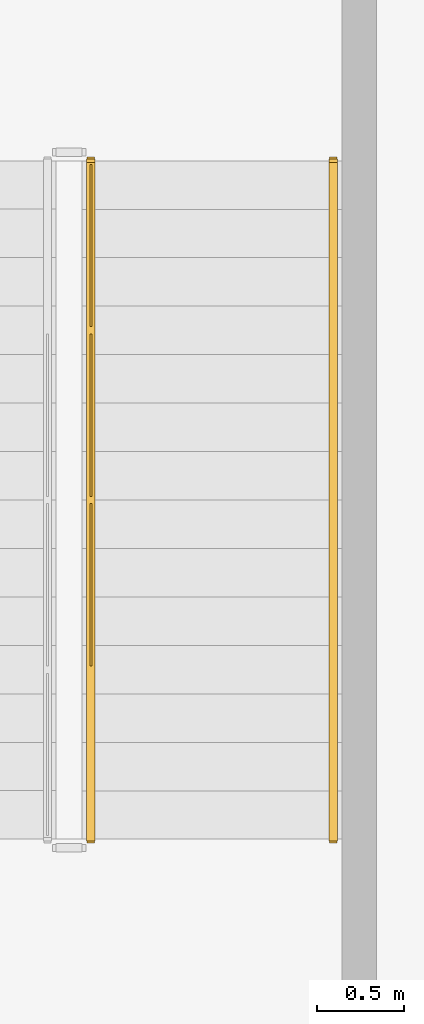
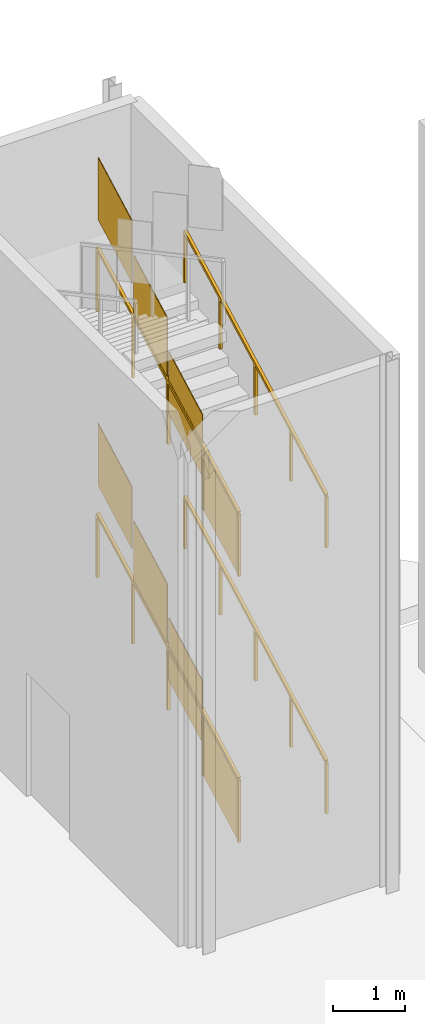
# One storey, part 37 of 38: 4 railings.
"""IFC4 building model written with IfcOpenShell, lengths in metres."""

from ifc_helpers import new_model, si_unit, direction, frame, origin, origin_2d, place, context, subcontext, project, spatial, polyline, rectangle, outline, extrude, material, type_object, element, save


model = new_model("IFC4")

# Units and contexts
model_context = context("Model", 3, precision=1e-05, world=origin(), true_north=direction((0.0, 1.0)))
body_context = subcontext(model_context, "Body", "Model", "MODEL_VIEW")
ifc_project = project(units=[si_unit("LENGTHUNIT", "METRE"), si_unit("AREAUNIT", "SQUARE_METRE"), si_unit("VOLUMEUNIT", "CUBIC_METRE"), si_unit("PLANEANGLEUNIT", "RADIAN"), si_unit("MASSUNIT", "GRAM", prefix="KILO")], contexts=[model_context])

# Site, building, storey
site_placement = place(None, origin())
site = spatial("IfcSite", under=ifc_project, at=site_placement, CompositionType="ELEMENT")
building_placement = place(site_placement, origin())
building = spatial("IfcBuilding", under=site, at=building_placement, Name="Cairn Pilgrim Tower", CompositionType="ELEMENT")
storey_placement = place(building_placement, origin())
storey = spatial("IfcBuildingStorey", under=building, at=storey_placement, Name="L00", CompositionType="ELEMENT", Elevation=0.0)

# Railings
ifc_material = material(Name="Painted steel", Category="steel")
railing_type_1 = type_object("IfcRailingType", Name="PODIUM STAIR GUARD 1100", PredefinedType="GUARDRAIL", material=ifc_material)
railing_1_placement = place(storey_placement, frame((32.699951171875, 20.199951171875, 0.14990234375)))
element("IfcRailing", 1, at=railing_1_placement, inside=storey, type_object=railing_type_1, Name="L00 ST-ES4 stair guard 1", PredefinedType="GUARDRAIL", context=body_context, shape_type="SweptSolid", body=[
    extrude(rectangle(XDim=0.048095703125, YDim=0.048095703125, at=origin_2d()), frame((0.0, 0.0, 1.076171875), z_axis=(0.0, 0.881479153919, 0.472222935917), x_axis=(-1.0, 0.0, 0.0)), (0.0, 0.0, 1.0), 4.447265625),
    extrude(rectangle(XDim=0.0419921875, YDim=0.0419921875, at=origin_2d()), origin(), (0.0, 0.0, 1.0), 1.052001953125),
    extrude(rectangle(XDim=0.0419921875, YDim=0.0419921875, at=origin_2d()), frame((0.0, 0.97998046875, 0.52490234375)), (0.0, 0.0, 1.0), 1.052001953125),
    extrude(rectangle(XDim=0.0419921875, YDim=0.0419921875, at=origin_2d()), frame((0.0, 1.960205078125, 1.050048828125)), (0.0, 0.0, 1.0), 1.052001953125),
    extrude(rectangle(XDim=0.0419921875, YDim=0.0419921875, at=origin_2d()), frame((0.0, 2.940185546875, 1.5751953125)), (0.0, 0.0, 1.0), 1.052001953125),
    extrude(rectangle(XDim=0.0419921875, YDim=0.0419921875, at=origin_2d()), frame((0.0, 3.920166015625, 2.10009765625)), (0.0, 0.0, 1.0), 1.052001953125),
    extrude(outline(polyline([(0.02099609375, 0.01123046875), (0.958984375, 0.513671875), (0.958984375, 1.565673828125), (0.02099609375, 1.063232421875), (0.02099609375, 0.01123046875)])), frame((-0.005859375, 0.0, 0.0), z_axis=(1.0, 0.0, 0.0), x_axis=(0.0, 1.0, 0.0)), (0.0, 0.0, 1.0), 0.011962890625),
    extrude(outline(polyline([(0.02099609375, 0.536376953125), (0.958984375, 1.038818359375), (0.958984375, 2.0908203125), (0.02099609375, 1.58837890625), (0.02099609375, 0.536376953125)])), frame((-0.005859375, 0.97998046875, 0.52490234375), z_axis=(1.0, 0.0, 0.0), x_axis=(0.0, 1.0, 0.0)), (0.0, 0.0, 1.0), 0.011962890625),
    extrude(outline(polyline([(0.02099609375, 1.061279296875), (0.958984375, 1.563720703125), (0.958984375, 2.61572265625), (0.02099609375, 2.11328125), (0.02099609375, 1.061279296875)])), frame((-0.005859375, 1.960205078125, 1.050048828125), z_axis=(1.0, 0.0, 0.0), x_axis=(0.0, 1.0, 0.0)), (0.0, 0.0, 1.0), 0.011962890625),
    extrude(outline(polyline([(0.02099609375, 1.58642578125), (0.958984375, 2.0888671875), (0.958984375, 3.140869140625), (0.02099609375, 2.638427734375), (0.02099609375, 1.58642578125)])), frame((-0.005859375, 2.940185546875, 1.5751953125), z_axis=(1.0, 0.0, 0.0), x_axis=(0.0, 1.0, 0.0)), (0.0, 0.0, 1.0), 0.011962890625),
])
railing_2_placement = place(storey_placement, frame((32.699951171875, 20.199951171875, 4.64990234375)))
element("IfcRailing", 2, at=railing_2_placement, inside=storey, type_object=railing_type_1, Name="L00 ST-ES4 stair guard 5", PredefinedType="GUARDRAIL", context=body_context, shape_type="SweptSolid", body=[
    extrude(rectangle(XDim=0.048095703125, YDim=0.048095703125, at=origin_2d()), frame((0.0, 0.0, 1.076171875), z_axis=(0.0, 0.881479153919, 0.472222935917), x_axis=(-1.0, 0.0, 0.0)), (0.0, 0.0, 1.0), 4.447265625),
    extrude(rectangle(XDim=0.0419921875, YDim=0.0419921875, at=origin_2d()), origin(), (0.0, 0.0, 1.0), 1.052001953125),
    extrude(rectangle(XDim=0.0419921875, YDim=0.0419921875, at=origin_2d()), frame((0.0, 0.97998046875, 0.52490234375)), (0.0, 0.0, 1.0), 1.052001953125),
    extrude(rectangle(XDim=0.0419921875, YDim=0.0419921875, at=origin_2d()), frame((0.0, 1.960205078125, 1.050048828125)), (0.0, 0.0, 1.0), 1.052001953125),
    extrude(rectangle(XDim=0.0419921875, YDim=0.0419921875, at=origin_2d()), frame((0.0, 2.940185546875, 1.5751953125)), (0.0, 0.0, 1.0), 1.052001953125),
    extrude(rectangle(XDim=0.0419921875, YDim=0.0419921875, at=origin_2d()), frame((0.0, 3.920166015625, 2.10009765625)), (0.0, 0.0, 1.0), 1.052001953125),
    extrude(outline(polyline([(0.02099609375, 0.01123046875), (0.958984375, 0.513671875), (0.958984375, 1.565673828125), (0.02099609375, 1.063232421875), (0.02099609375, 0.01123046875)])), frame((-0.005859375, 0.0, 0.0), z_axis=(1.0, 0.0, 0.0), x_axis=(0.0, 1.0, 0.0)), (0.0, 0.0, 1.0), 0.011962890625),
    extrude(outline(polyline([(0.02099609375, 0.536376953125), (0.958984375, 1.038818359375), (0.958984375, 2.0908203125), (0.02099609375, 1.58837890625), (0.02099609375, 0.536376953125)])), frame((-0.005859375, 0.97998046875, 0.52490234375), z_axis=(1.0, 0.0, 0.0), x_axis=(0.0, 1.0, 0.0)), (0.0, 0.0, 1.0), 0.011962890625),
    extrude(outline(polyline([(0.02099609375, 1.061279296875), (0.958984375, 1.563720703125), (0.958984375, 2.61572265625), (0.02099609375, 2.11328125), (0.02099609375, 1.061279296875)])), frame((-0.005859375, 1.960205078125, 1.050048828125), z_axis=(1.0, 0.0, 0.0), x_axis=(0.0, 1.0, 0.0)), (0.0, 0.0, 1.0), 0.011962890625),
    extrude(outline(polyline([(0.02099609375, 1.58642578125), (0.958984375, 2.0888671875), (0.958984375, 3.140869140625), (0.02099609375, 2.638427734375), (0.02099609375, 1.58642578125)])), frame((-0.005859375, 2.940185546875, 1.5751953125), z_axis=(1.0, 0.0, 0.0), x_axis=(0.0, 1.0, 0.0)), (0.0, 0.0, 1.0), 0.011962890625),
])
railing_type_2 = type_object("IfcRailingType", Name="PODIUM STAIR HANDRAIL 900", PredefinedType="HANDRAIL", material=ifc_material)
for number, where, name in (
    (3, (34.10009765625, 20.199951171875, 0.14990234375), "L00 ST-ES4 stair handrail 1"),
    (4, (34.10009765625, 20.199951171875, 4.64990234375), "L00 ST-ES4 stair handrail 3"),
):
    element("IfcRailing", number, at=place(storey_placement, frame(where)), inside=storey, type_object=railing_type_2, Name=name, PredefinedType="HANDRAIL", context=body_context, shape_type="SweptSolid", body=[
        extrude(rectangle(XDim=0.048095703125, YDim=0.048095703125, at=origin_2d()), frame((0.0, 0.0, 0.8759765625), z_axis=(0.0, 0.881479153919, 0.472222935917), x_axis=(-1.0, 0.0, 0.0)), (0.0, 0.0, 1.0), 4.447265625),
        extrude(rectangle(XDim=0.0419921875, YDim=0.0419921875, at=origin_2d()), origin(), (0.0, 0.0, 1.0), 0.851806640625),
        extrude(rectangle(XDim=0.0419921875, YDim=0.0419921875, at=origin_2d()), frame((0.0, 0.97998046875, 0.52490234375)), (0.0, 0.0, 1.0), 0.851806640625),
        extrude(rectangle(XDim=0.0419921875, YDim=0.0419921875, at=origin_2d()), frame((0.0, 1.960205078125, 1.050048828125)), (0.0, 0.0, 1.0), 0.851806640625),
        extrude(rectangle(XDim=0.0419921875, YDim=0.0419921875, at=origin_2d()), frame((0.0, 2.940185546875, 1.5751953125)), (0.0, 0.0, 1.0), 0.851806640625),
        extrude(rectangle(XDim=0.0419921875, YDim=0.0419921875, at=origin_2d()), frame((0.0, 3.920166015625, 2.10009765625)), (0.0, 0.0, 1.0), 0.851806640625),
    ])

save(model, "model.ifc")
